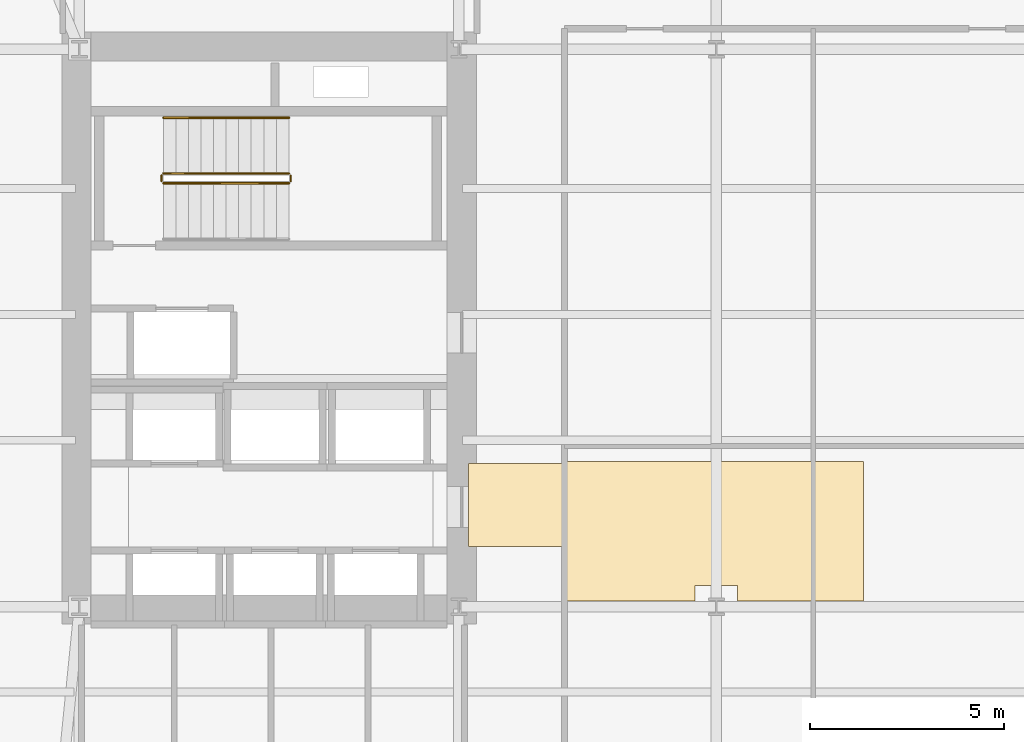
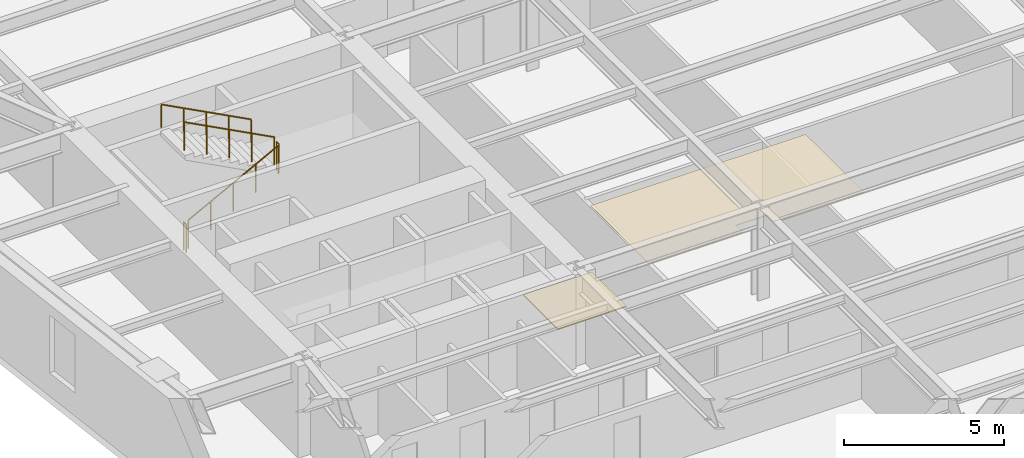
# One storey, part 9 of 14: 5 railings, 2 coverings.
"""IFC4 building model written with IfcOpenShell, lengths in metres."""

from ifc_helpers import new_model, si_unit, direction, frame, origin, origin_2d, place, context, subcontext, project, spatial, polyline, circle, outline, extrude, material, layer, layer_set, type_object, element, save


model = new_model("IFC4")

# Units and contexts
model_context = context("Model", 3, precision=1e-05, world=origin(), true_north=direction((0.0, 1.0)))
body_context = subcontext(model_context, "Body", "Model", "MODEL_VIEW")
ifc_project = project(units=[si_unit("LENGTHUNIT", "METRE"), si_unit("AREAUNIT", "SQUARE_METRE"), si_unit("VOLUMEUNIT", "CUBIC_METRE"), si_unit("PLANEANGLEUNIT", "RADIAN"), si_unit("MASSUNIT", "GRAM", prefix="KILO")], contexts=[model_context])

# Site, building, storey
site_placement = place(None, origin())
site = spatial("IfcSite", under=ifc_project, at=site_placement, CompositionType="ELEMENT")
building_placement = place(site_placement, origin())
building = spatial("IfcBuilding", under=site, at=building_placement, Name="Kolvaren Arena Tower", CompositionType="ELEMENT")
storey_placement = place(building_placement, frame((0.0, 0.0, 130.75)))
storey = spatial("IfcBuildingStorey", under=building, at=storey_placement, Name="L30", CompositionType="ELEMENT", Elevation=130.75)

# Coverings
ifc_material_1 = material(Name="Mineral fibre acoustic ceiling tile", Category="gypsum")
ifc_layer_1 = layer(ifc_material_1, 0.02490234375)
ifc_layer_set_1 = layer_set([ifc_layer_1], Name="Mineral fibre acoustic ceiling tile")
covering_type_1 = type_object("IfcCoveringType", Name="CEIL-ACT-1", PredefinedType="CEILING", material=ifc_layer_set_1)
covering_1_placement = place(storey_placement, frame((0.0, 0.0, 2.52001953125)))
element("IfcCovering", 1, at=covering_1_placement, inside=storey, type_object=covering_type_1, Name="Suspended Ceiling (L30)", PredefinedType="CEILING", context=body_context, shape_type="SweptSolid", body=[
    extrude(outline(polyline([(27.050048828125, 19.60009765625), (27.050048828125, 23.199951171875), (34.800048828125, 23.199951171875), (34.800048828125, 19.60009765625), (31.550048828125, 19.60009765625), (31.550048828125, 20.0), (30.449951171875, 20.0), (30.449951171875, 19.60009765625), (27.050048828125, 19.60009765625)])), origin(), (0.0, 0.0, 1.0), 0.02490234375),
])
ifc_material_2 = material(Name="Raised access office floor finish", Category="aluminium")
ifc_layer_2 = layer(ifc_material_2, 0.044921875)
ifc_layer_set_2 = layer_set([ifc_layer_2], Name="Raised access office floor finish")
covering_type_2 = type_object("IfcCoveringType", Name="FLOR-RAF-1", PredefinedType="FLOORING", material=ifc_layer_set_2)
covering_2_placement = place(storey_placement, origin())
element("IfcCovering", 2, at=covering_2_placement, inside=storey, type_object=covering_type_2, Name="Floor Finish (L30)", PredefinedType="FLOORING", context=body_context, shape_type="SweptSolid", body=[
    extrude(outline(polyline([(24.60009765625, 21.0), (24.60009765625, 23.14990234375), (27.080078125, 23.14990234375), (27.080078125, 21.0), (24.60009765625, 21.0)])), origin(), (0.0, 0.0, 1.0), 0.044921875),
])

# Railings
ifc_material_3 = material(Name="Painted galvanized steel", Category="steel")
railing_type_1 = type_object("IfcRailingType", Name="GUARD-ST-110", PredefinedType="GUARDRAIL", material=ifc_material_3)
railing_1_placement = place(storey_placement, frame((16.719970703125, 30.389892578125, 0.17041015625)))
element("IfcRailing", 3, at=railing_1_placement, inside=storey, type_object=railing_type_1, Name="L30 ST-W1 stair guard 1", PredefinedType="GUARDRAIL", context=body_context, shape_type="SweptSolid", body=[
    extrude(circle(Radius=0.02392578125, at=origin_2d()), frame((0.0, 0.0, 1.076171875), z_axis=(0.884993431791, 0.0, 0.465603506952), x_axis=(0.0, 1.0, 0.0)), (0.0, 0.0, 1.0), 3.6611328125),
    extrude(circle(Radius=0.02099609375, at=origin_2d()), origin(), (0.0, 0.0, 1.0), 1.052001953125),
    extrude(circle(Radius=0.02099609375, at=origin_2d()), frame((0.81005859375, 0.0, 0.42626953125)), (0.0, 0.0, 1.0), 1.052001953125),
    extrude(circle(Radius=0.02099609375, at=origin_2d()), frame((1.6201171875, 0.0, 0.852294921875)), (0.0, 0.0, 1.0), 1.052001953125),
    extrude(circle(Radius=0.02099609375, at=origin_2d()), frame((2.429931640625, 0.0, 1.2783203125)), (0.0, 0.0, 1.0), 1.052001953125),
    extrude(circle(Radius=0.02099609375, at=origin_2d()), frame((3.239990234375, 0.0, 1.70458984375)), (0.0, 0.0, 1.0), 1.052001953125),
])
railing_2_placement = place(storey_placement, frame((20.010009765625, 30.43994140625, 1.875)))
element("IfcRailing", 4, at=railing_2_placement, inside=storey, type_object=railing_type_1, Name="L30 ST-W1 stair guard 2", PredefinedType="GUARDRAIL", context=body_context, shape_type="SweptSolid", body=[
    extrude(circle(Radius=0.02392578125, at=origin_2d()), frame((0.0, 0.0, 1.076171875), z_axis=(0.0, 1.0, 0.0), x_axis=(-1.0, 0.0, 0.0)), (0.0, 0.0, 1.0), 0.150146484375),
    extrude(circle(Radius=0.02099609375, at=origin_2d()), origin(), (0.0, 0.0, 1.0), 1.052001953125),
    extrude(circle(Radius=0.02099609375, at=origin_2d()), frame((0.0, 0.150146484375, 0.0)), (0.0, 0.0, 1.0), 1.052001953125),
])
railing_3_placement = place(storey_placement, frame((19.9599609375, 30.639892578125, 2.04541015625)))
element("IfcRailing", 5, at=railing_3_placement, inside=storey, type_object=railing_type_1, Name="L30 ST-W1 stair guard 3", PredefinedType="GUARDRAIL", context=body_context, shape_type="SweptSolid", body=[
    extrude(circle(Radius=0.02392578125, at=origin_2d()), frame((0.0, 0.0, 1.076171875), z_axis=(-0.884993431791, 0.0, 0.465603506952), x_axis=(0.0, -1.0, 0.0)), (0.0, 0.0, 1.0), 3.6611328125),
    extrude(circle(Radius=0.02099609375, at=origin_2d()), origin(), (0.0, 0.0, 1.0), 1.052001953125),
    extrude(circle(Radius=0.02099609375, at=origin_2d()), frame((-0.81005859375, 0.0, 0.42626953125)), (0.0, 0.0, 1.0), 1.052001953125),
    extrude(circle(Radius=0.02099609375, at=origin_2d()), frame((-1.6201171875, 0.0, 0.852294921875)), (0.0, 0.0, 1.0), 1.052001953125),
    extrude(circle(Radius=0.02099609375, at=origin_2d()), frame((-2.429931640625, 0.0, 1.2783203125)), (0.0, 0.0, 1.0), 1.052001953125),
    extrude(circle(Radius=0.02099609375, at=origin_2d()), frame((-3.239990234375, 0.0, 1.70458984375)), (0.0, 0.0, 1.0), 1.052001953125),
])
railing_4_placement = place(storey_placement, frame((16.669921875, 30.43994140625, 0.0)))
element("IfcRailing", 6, at=railing_4_placement, inside=storey, type_object=railing_type_1, Name="L30 ST-W1 stair guard 4", PredefinedType="GUARDRAIL", context=body_context, shape_type="SweptSolid", body=[
    extrude(circle(Radius=0.02392578125, at=origin_2d()), frame((0.0, 0.0, 1.076171875), z_axis=(0.0, 1.0, 0.0), x_axis=(-1.0, 0.0, 0.0)), (0.0, 0.0, 1.0), 0.150146484375),
    extrude(circle(Radius=0.02099609375, at=origin_2d()), origin(), (0.0, 0.0, 1.0), 1.052001953125),
    extrude(circle(Radius=0.02099609375, at=origin_2d()), frame((0.0, 0.150146484375, 0.0)), (0.0, 0.0, 1.0), 1.052001953125),
])
ifc_material_4 = material(Name="Brushed stainless steel handrail", Category="steel")
railing_type_2 = type_object("IfcRailingType", Name="HRAIL-900", PredefinedType="HANDRAIL", material=ifc_material_4)
railing_5_placement = place(storey_placement, frame((19.9599609375, 32.080078125, 2.04541015625)))
element("IfcRailing", 7, at=railing_5_placement, inside=storey, type_object=railing_type_2, Name="L30 ST-W1 stair handrail 2", PredefinedType="HANDRAIL", context=body_context, shape_type="SweptSolid", body=[
    extrude(circle(Radius=0.02392578125, at=origin_2d()), frame((0.0, 0.0, 0.8759765625), z_axis=(-0.884993431791, 0.0, 0.465603506952), x_axis=(0.0, -1.0, 0.0)), (0.0, 0.0, 1.0), 3.6611328125),
    extrude(circle(Radius=0.02099609375, at=origin_2d()), origin(), (0.0, 0.0, 1.0), 0.851806640625),
    extrude(circle(Radius=0.02099609375, at=origin_2d()), frame((-0.81005859375, 0.0, 0.42626953125)), (0.0, 0.0, 1.0), 0.851806640625),
    extrude(circle(Radius=0.02099609375, at=origin_2d()), frame((-1.6201171875, 0.0, 0.852294921875)), (0.0, 0.0, 1.0), 0.851806640625),
    extrude(circle(Radius=0.02099609375, at=origin_2d()), frame((-2.429931640625, 0.0, 1.2783203125)), (0.0, 0.0, 1.0), 0.851806640625),
    extrude(circle(Radius=0.02099609375, at=origin_2d()), frame((-3.239990234375, 0.0, 1.70458984375)), (0.0, 0.0, 1.0), 0.851806640625),
])

save(model, "model.ifc")
